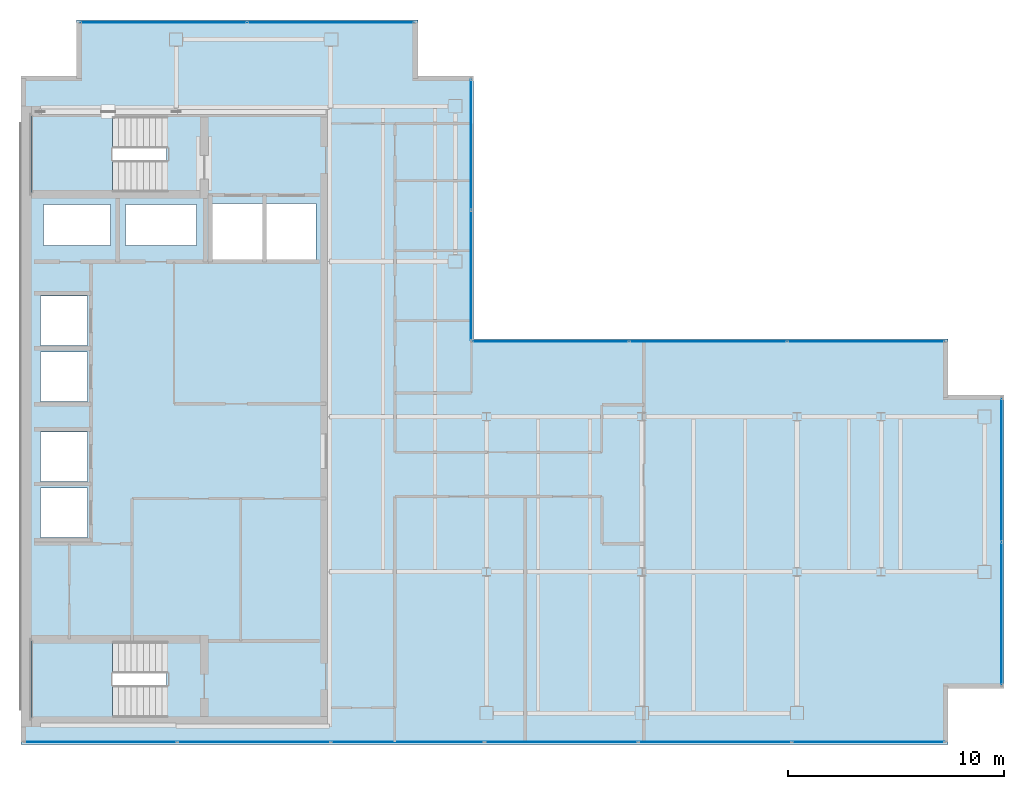
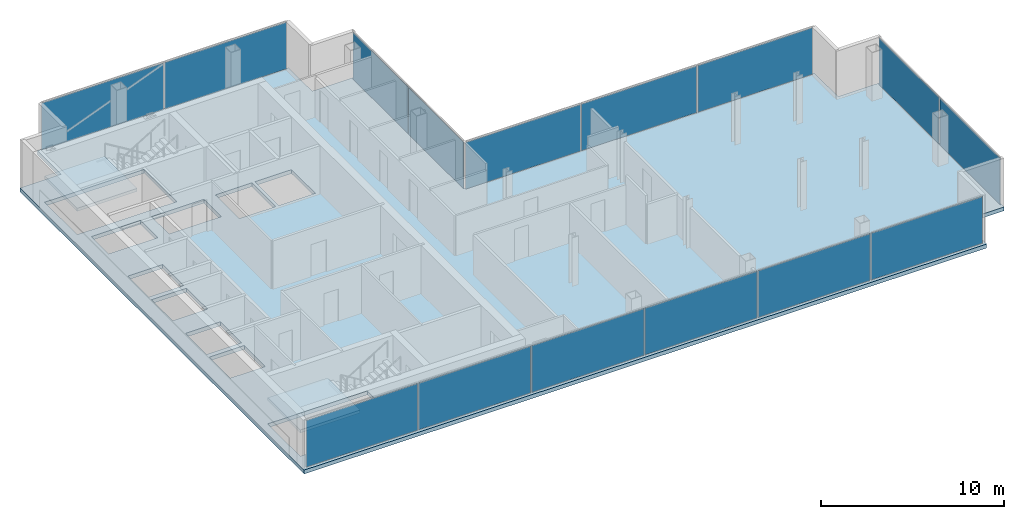
# One storey, part 19 of 23: 15 plates, 3 slabs, 10 openings, 7 elements without a shape of their own.
"""IFC4 building model written with IfcOpenShell, lengths in metres."""

from ifc_helpers import new_model, si_unit, direction, frame, origin, origin_2d, place, context, subcontext, project, spatial, polyline, rectangle, outline, extrude, material, layer, layer_set, type_object, element, aggregate, save


model = new_model("IFC4")

# Units and contexts
model_context = context("Model", 3, precision=1e-05, world=origin(), true_north=direction((0.0, 1.0)))
body_context = subcontext(model_context, "Body", "Model", "MODEL_VIEW")
ifc_project = project(units=[si_unit("LENGTHUNIT", "METRE"), si_unit("AREAUNIT", "SQUARE_METRE"), si_unit("VOLUMEUNIT", "CUBIC_METRE"), si_unit("PLANEANGLEUNIT", "RADIAN"), si_unit("MASSUNIT", "GRAM", prefix="KILO")], contexts=[model_context])

# Site, building, storey
site_placement = place(None, origin())
site = spatial("IfcSite", under=ifc_project, at=site_placement, CompositionType="ELEMENT")
building_placement = place(site_placement, origin())
building = spatial("IfcBuilding", under=site, at=building_placement, Name="Cobrela Telecom Tower", CompositionType="ELEMENT")
storey_placement = place(building_placement, frame((0.0, 0.0, 269.14990234375)))
storey = spatial("IfcBuildingStorey", under=building, at=storey_placement, Name="L70", CompositionType="ELEMENT", Elevation=269.14990234375)

# Curtain wall, plates
ifc_material_1 = material(Name="Anodized Bronze Aluminium 6063-T6", Category="aluminium")
curtain_wall_type = type_object("IfcCurtainWallType", Name="CW-SYS-OFF-HI", PredefinedType="USERDEFINED", material=ifc_material_1)
curtain_wall_1_placement = place(storey_placement, origin())
curtain_wall_1 = element("IfcCurtainWall", 1, at=curtain_wall_1_placement, inside=storey, type_object=curtain_wall_type, Name="L70 Unitised Bronze Curtain Wall 05", ObjectType="UNITISED CURTAIN WALL", PredefinedType="USERDEFINED")
ifc_material_2 = material(Name="Solar-Control Bronze Low-E Glass", Category="glass")
ifc_layer_1 = layer(ifc_material_2, 0.030029296875)
ifc_layer_set_1 = layer_set([ifc_layer_1], Name="Solar-Control Bronze Low-E Glass")
plate_type = type_object("IfcPlateType", Name="CW-SYS-OFF-HI-PNL", PredefinedType="CURTAIN_PANEL", material=ifc_layer_set_1)
plate_1_placement = place(storey_placement, frame((6.62255859375, 39.8798828125, 0.06494140625), z_axis=(0.0, 0.0, 1.0), x_axis=(1.0, 0.0, 0.0)))
plate_1 = element("IfcPlate", 2, at=plate_1_placement, type_object=plate_type, Name="CW-OFF-HI panel 1.1", PredefinedType="CURTAIN_PANEL", context=body_context, shape_type="SweptSolid", body=[
    extrude(rectangle(XDim=7.68505859375, YDim=0.030029296875, at=origin_2d()), origin(), (0.0, 0.0, 1.0), 3.110107421875),
])
plate_2_placement = place(storey_placement, frame((14.37744140625, 39.8798828125, 0.06494140625), z_axis=(0.0, 0.0, 1.0), x_axis=(1.0, 0.0, 0.0)))
plate_2 = element("IfcPlate", 3, at=plate_2_placement, type_object=plate_type, Name="CW-OFF-HI panel 2.1", PredefinedType="CURTAIN_PANEL", context=body_context, shape_type="SweptSolid", body=[
    extrude(rectangle(XDim=7.68505859375, YDim=0.030029296875, at=origin_2d()), origin(), (0.0, 0.0, 1.0), 3.110107421875),
])
aggregate(curtain_wall_1, [plate_1, plate_2])

curtain_wall_2_placement = place(storey_placement, origin())
curtain_wall_2 = element("IfcCurtainWall", 4, at=curtain_wall_2_placement, inside=storey, type_object=curtain_wall_type, Name="L70 Unitised Bronze Curtain Wall 08", ObjectType="UNITISED CURTAIN WALL", PredefinedType="USERDEFINED")
plate_3_placement = place(storey_placement, frame((20.8798828125, 34.219970703125, 0.06494140625), z_axis=(0.0, 0.0, 1.0), x_axis=(0.0, -1.0, 0.0)))
plate_3 = element("IfcPlate", 5, at=plate_3_placement, type_object=plate_type, Name="CW-OFF-HI panel 1.1", PredefinedType="CURTAIN_PANEL", context=body_context, shape_type="SweptSolid", body=[
    extrude(rectangle(XDim=6.0, YDim=0.030029296875, at=origin_2d()), origin(), (0.0, 0.0, 1.0), 3.110107421875),
])
plate_4_placement = place(storey_placement, frame((20.8798828125, 28.14990234375, 0.06494140625), z_axis=(0.0, 0.0, 1.0), x_axis=(0.0, -1.0, 0.0)))
plate_4 = element("IfcPlate", 6, at=plate_4_placement, type_object=plate_type, Name="CW-OFF-HI panel 2.1", PredefinedType="CURTAIN_PANEL", context=body_context, shape_type="SweptSolid", body=[
    extrude(rectangle(XDim=6.0, YDim=0.030029296875, at=origin_2d()), origin(), (0.0, 0.0, 1.0), 3.110107421875),
])
aggregate(curtain_wall_2, [plate_3, plate_4])

curtain_wall_3_placement = place(storey_placement, origin())
curtain_wall_3 = element("IfcCurtainWall", 7, at=curtain_wall_3_placement, inside=storey, type_object=curtain_wall_type, Name="L70 Unitised Bronze Curtain Wall 09", ObjectType="UNITISED CURTAIN WALL", PredefinedType="USERDEFINED")
plate_5_placement = place(storey_placement, frame((24.56591796875, 25.080078125, 0.06494140625), z_axis=(0.0, 0.0, 1.0), x_axis=(1.0, 0.0, 0.0)))
plate_5 = element("IfcPlate", 8, at=plate_5_placement, type_object=plate_type, Name="CW-OFF-HI panel 1.1", PredefinedType="CURTAIN_PANEL", context=body_context, shape_type="SweptSolid", body=[
    extrude(rectangle(XDim=7.231689453125, YDim=0.030029296875, at=origin_2d()), origin(), (0.0, 0.0, 1.0), 3.110107421875),
])
plate_6_placement = place(storey_placement, frame((31.885009765625, 25.080078125, 0.06494140625), z_axis=(0.0, 0.0, 1.0), x_axis=(1.0, 0.0, 0.0)))
plate_6 = element("IfcPlate", 9, at=plate_6_placement, type_object=plate_type, Name="CW-OFF-HI panel 2.1", PredefinedType="CURTAIN_PANEL", context=body_context, shape_type="SweptSolid", body=[
    extrude(rectangle(XDim=7.2666015625, YDim=0.030029296875, at=origin_2d()), origin(), (0.0, 0.0, 1.0), 3.110107421875),
])
plate_7_placement = place(storey_placement, frame((39.2041015625, 25.080078125, 0.06494140625), z_axis=(0.0, 0.0, 1.0), x_axis=(1.0, 0.0, 0.0)))
plate_7 = element("IfcPlate", 10, at=plate_7_placement, type_object=plate_type, Name="CW-OFF-HI panel 3.1", PredefinedType="CURTAIN_PANEL", context=body_context, shape_type="SweptSolid", body=[
    extrude(rectangle(XDim=7.231689453125, YDim=0.030029296875, at=origin_2d()), origin(), (0.0, 0.0, 1.0), 3.110107421875),
])
aggregate(curtain_wall_3, [plate_5, plate_6, plate_7])

curtain_wall_4_placement = place(storey_placement, origin())
curtain_wall_4 = element("IfcCurtainWall", 11, at=curtain_wall_4_placement, inside=storey, type_object=curtain_wall_type, Name="L70 Unitised Bronze Curtain Wall 12", ObjectType="UNITISED CURTAIN WALL", PredefinedType="USERDEFINED")
plate_8_placement = place(storey_placement, frame((45.47998046875, 19.12744140625, 0.06494140625), z_axis=(0.0, 0.0, 1.0), x_axis=(0.0, -1.0, 0.0)))
plate_8 = element("IfcPlate", 12, at=plate_8_placement, type_object=plate_type, Name="CW-OFF-HI panel 1.1", PredefinedType="CURTAIN_PANEL", context=body_context, shape_type="SweptSolid", body=[
    extrude(rectangle(XDim=6.5849609375, YDim=0.030029296875, at=origin_2d()), origin(), (0.0, 0.0, 1.0), 3.110107421875),
])
plate_9_placement = place(storey_placement, frame((45.47998046875, 12.472412109375, 0.06494140625), z_axis=(0.0, 0.0, 1.0), x_axis=(0.0, -1.0, 0.0)))
plate_9 = element("IfcPlate", 13, at=plate_9_placement, type_object=plate_type, Name="CW-OFF-HI panel 2.1", PredefinedType="CURTAIN_PANEL", context=body_context, shape_type="SweptSolid", body=[
    extrude(rectangle(XDim=6.5849609375, YDim=0.030029296875, at=origin_2d()), origin(), (0.0, 0.0, 1.0), 3.110107421875),
])
aggregate(curtain_wall_4, [plate_8, plate_9])

curtain_wall_5_placement = place(storey_placement, origin())
curtain_wall_5 = element("IfcCurtainWall", 14, at=curtain_wall_5_placement, inside=storey, type_object=curtain_wall_type, Name="L70 Unitised Bronze Curtain Wall 15", ObjectType="UNITISED CURTAIN WALL", PredefinedType="USERDEFINED")
plate_10_placement = place(storey_placement, frame((39.308349609375, 6.52001953125, 0.06494140625), z_axis=(0.0, 0.0, 1.0), x_axis=(-1.0, 0.0, 0.0)))
plate_10 = element("IfcPlate", 15, at=plate_10_placement, type_object=plate_type, Name="CW-OFF-HI panel 1.1", PredefinedType="CURTAIN_PANEL", context=body_context, shape_type="SweptSolid", body=[
    extrude(rectangle(XDim=7.0234375, YDim=0.030029296875, at=origin_2d()), origin(), (0.0, 0.0, 1.0), 3.110107421875),
])
plate_11_placement = place(storey_placement, frame((32.197509765625, 6.52001953125, 0.06494140625), z_axis=(0.0, 0.0, 1.0), x_axis=(-1.0, 0.0, 0.0)))
plate_11 = element("IfcPlate", 16, at=plate_11_placement, type_object=plate_type, Name="CW-OFF-HI panel 2.1", PredefinedType="CURTAIN_PANEL", context=body_context, shape_type="SweptSolid", body=[
    extrude(rectangle(XDim=7.058349609375, YDim=0.030029296875, at=origin_2d()), origin(), (0.0, 0.0, 1.0), 3.110107421875),
])
plate_12_placement = place(storey_placement, frame((25.069091796875, 6.52001953125, 0.06494140625), z_axis=(0.0, 0.0, 1.0), x_axis=(-1.0, 0.0, 0.0)))
plate_12 = element("IfcPlate", 17, at=plate_12_placement, type_object=plate_type, Name="CW-OFF-HI panel 3.1", PredefinedType="CURTAIN_PANEL", context=body_context, shape_type="SweptSolid", body=[
    extrude(rectangle(XDim=7.058349609375, YDim=0.030029296875, at=origin_2d()), origin(), (0.0, 0.0, 1.0), 3.110107421875),
])
plate_13_placement = place(storey_placement, frame((17.94091796875, 6.52001953125, 0.06494140625), z_axis=(0.0, 0.0, 1.0), x_axis=(-1.0, 0.0, 0.0)))
plate_13 = element("IfcPlate", 18, at=plate_13_placement, type_object=plate_type, Name="CW-OFF-HI panel 4.1", PredefinedType="CURTAIN_PANEL", context=body_context, shape_type="SweptSolid", body=[
    extrude(rectangle(XDim=7.058349609375, YDim=0.030029296875, at=origin_2d()), origin(), (0.0, 0.0, 1.0), 3.110107421875),
])
plate_14_placement = place(storey_placement, frame((10.8125, 6.52001953125, 0.06494140625), z_axis=(0.0, 0.0, 1.0), x_axis=(-1.0, 0.0, 0.0)))
plate_14 = element("IfcPlate", 19, at=plate_14_placement, type_object=plate_type, Name="CW-OFF-HI panel 5.1", PredefinedType="CURTAIN_PANEL", context=body_context, shape_type="SweptSolid", body=[
    extrude(rectangle(XDim=7.058349609375, YDim=0.030029296875, at=origin_2d()), origin(), (0.0, 0.0, 1.0), 3.110107421875),
])
plate_15_placement = place(storey_placement, frame((3.70166015625, 6.52001953125, 0.06494140625), z_axis=(0.0, 0.0, 1.0), x_axis=(-1.0, 0.0, 0.0)))
plate_15 = element("IfcPlate", 20, at=plate_15_placement, type_object=plate_type, Name="CW-OFF-HI panel 6.1", PredefinedType="CURTAIN_PANEL", context=body_context, shape_type="SweptSolid", body=[
    extrude(rectangle(XDim=7.0234375, YDim=0.030029296875, at=origin_2d()), origin(), (0.0, 0.0, 1.0), 3.110107421875),
])
aggregate(curtain_wall_5, [plate_10, plate_11, plate_12, plate_13, plate_14, plate_15])

# Slab, openings
ifc_material_3 = material(Name="Concrete C40/50", Category="concrete")
ifc_layer_2 = layer(ifc_material_3, 0.260009765625)
ifc_layer_set_2 = layer_set([ifc_layer_2], Name="Concrete C40/50")
slab_type_1 = type_object("IfcSlabType", Name="SLAB-FLR-260", PredefinedType="FLOOR", material=ifc_layer_set_2)
slab_1_placement = place(storey_placement, frame((0.0, 0.0, -0.260009765625)))
slab_1 = element("IfcSlab", 21, at=slab_1_placement, inside=storey, type_object=slab_type_1, Name="L70 Structural Floor Slab", PredefinedType="FLOOR", context=body_context, shape_type="SweptSolid", body=[
    extrude(outline(polyline([(0.0, 6.39990234375), (43.010009765625, 6.39990234375), (43.010009765625, 8.989990234375), (45.60009765625, 8.989990234375), (45.60009765625, 22.610107421875), (43.010009765625, 22.610107421875), (43.010009765625, 25.199951171875), (21.0, 25.199951171875), (21.0, 37.409912109375), (18.409912109375, 37.409912109375), (18.409912109375, 40.0), (2.590087890625, 40.0), (2.590087890625, 37.409912109375), (0.0, 37.409912109375), (0.0, 6.39990234375)])), origin(), (0.0, 0.0, 1.0), 0.260009765625),
])
opening_1_placement = place(slab_1_placement, frame((0.0, 0.0, -0.02001953125)))
element("IfcOpeningElement", 22, at=opening_1_placement, cuts=slab_1, Name="Slab Shaft Opening SLAB-L70-MAIN.1", PredefinedType="OPENING", context=body_context, shape_type="SweptSolid", body=[
    extrude(outline(polyline([(8.89990234375, 28.89990234375), (11.199951171875, 28.89990234375), (11.199951171875, 31.5), (8.89990234375, 31.5), (8.89990234375, 28.89990234375)])), origin(), (0.0, 0.0, 1.0), 0.300048828125),
])
opening_2_placement = place(slab_1_placement, frame((0.0, 0.0, -0.02001953125)))
element("IfcOpeningElement", 23, at=opening_2_placement, cuts=slab_1, Name="Slab Shaft Opening SLAB-L70-MAIN.2", PredefinedType="OPENING", context=body_context, shape_type="SweptSolid", body=[
    extrude(outline(polyline([(11.39990234375, 28.89990234375), (13.699951171875, 28.89990234375), (13.699951171875, 31.5), (11.39990234375, 31.5), (11.39990234375, 28.89990234375)])), origin(), (0.0, 0.0, 1.0), 0.300048828125),
])
opening_3_placement = place(slab_1_placement, frame((0.0, 0.0, -0.02001953125)))
element("IfcOpeningElement", 24, at=opening_3_placement, cuts=slab_1, Name="Slab Shaft Opening SLAB-L70-MAIN.3", PredefinedType="OPENING", context=body_context, shape_type="SweptSolid", body=[
    extrude(outline(polyline([(0.89990234375, 16.0), (3.10009765625, 16.0), (3.10009765625, 18.300048828125), (0.89990234375, 18.300048828125), (0.89990234375, 16.0)])), origin(), (0.0, 0.0, 1.0), 0.300048828125),
])
opening_4_placement = place(slab_1_placement, frame((0.0, 0.0, -0.02001953125)))
element("IfcOpeningElement", 25, at=opening_4_placement, cuts=slab_1, Name="Slab Shaft Opening SLAB-L70-MAIN.4", PredefinedType="OPENING", context=body_context, shape_type="SweptSolid", body=[
    extrude(outline(polyline([(0.89990234375, 18.60009765625), (3.10009765625, 18.60009765625), (3.10009765625, 20.89990234375), (0.89990234375, 20.89990234375), (0.89990234375, 18.60009765625)])), origin(), (0.0, 0.0, 1.0), 0.300048828125),
])
opening_5_placement = place(slab_1_placement, frame((0.0, 0.0, -0.02001953125)))
element("IfcOpeningElement", 26, at=opening_5_placement, cuts=slab_1, Name="Slab Shaft Opening SLAB-L70-MAIN.5", PredefinedType="OPENING", context=body_context, shape_type="SweptSolid", body=[
    extrude(outline(polyline([(0.89990234375, 22.300048828125), (3.10009765625, 22.300048828125), (3.10009765625, 24.60009765625), (0.89990234375, 24.60009765625), (0.89990234375, 22.300048828125)])), origin(), (0.0, 0.0, 1.0), 0.300048828125),
])
opening_6_placement = place(slab_1_placement, frame((0.0, 0.0, -0.02001953125)))
element("IfcOpeningElement", 27, at=opening_6_placement, cuts=slab_1, Name="Slab Shaft Opening SLAB-L70-MAIN.6", PredefinedType="OPENING", context=body_context, shape_type="SweptSolid", body=[
    extrude(outline(polyline([(0.89990234375, 24.89990234375), (3.10009765625, 24.89990234375), (3.10009765625, 27.199951171875), (0.89990234375, 27.199951171875), (0.89990234375, 24.89990234375)])), origin(), (0.0, 0.0, 1.0), 0.300048828125),
])
opening_7_placement = place(slab_1_placement, frame((0.0, 0.0, -0.02001953125)))
element("IfcOpeningElement", 28, at=opening_7_placement, cuts=slab_1, Name="Slab Shaft Opening SLAB-L70-MAIN.7", PredefinedType="OPENING", context=body_context, shape_type="SweptSolid", body=[
    extrude(outline(polyline([(1.050048828125, 29.550048828125), (4.14990234375, 29.550048828125), (4.14990234375, 31.449951171875), (1.050048828125, 31.449951171875), (1.050048828125, 29.550048828125)])), origin(), (0.0, 0.0, 1.0), 0.300048828125),
])
opening_8_placement = place(slab_1_placement, frame((0.0, 0.0, -0.02001953125)))
element("IfcOpeningElement", 29, at=opening_8_placement, cuts=slab_1, Name="Slab Shaft Opening SLAB-L70-MAIN.8", PredefinedType="OPENING", context=body_context, shape_type="SweptSolid", body=[
    extrude(outline(polyline([(4.85009765625, 29.550048828125), (8.14990234375, 29.550048828125), (8.14990234375, 31.449951171875), (4.85009765625, 31.449951171875), (4.85009765625, 29.550048828125)])), origin(), (0.0, 0.0, 1.0), 0.300048828125),
])
opening_9_placement = place(slab_1_placement, frame((0.0, 0.0, -0.02001953125)))
element("IfcOpeningElement", 30, at=opening_9_placement, cuts=slab_1, Name="Slab Shaft Opening SLAB-L70-MAIN.9", PredefinedType="OPENING", context=body_context, shape_type="SweptSolid", body=[
    extrude(outline(polyline([(6.7548828125, 35.550048828125), (0.47998046875, 35.550048828125), (0.47998046875, 32.0), (6.7548828125, 32.0), (6.7548828125, 35.550048828125)])), origin(), (0.0, 0.0, 1.0), 0.300048828125),
])
opening_10_placement = place(slab_1_placement, frame((0.0, 0.0, -0.02001953125)))
element("IfcOpeningElement", 31, at=opening_10_placement, cuts=slab_1, Name="Slab Shaft Opening SLAB-L70-MAIN.10", PredefinedType="OPENING", context=body_context, shape_type="SweptSolid", body=[
    extrude(outline(polyline([(6.7548828125, 11.199951171875), (0.47998046875, 11.199951171875), (0.47998046875, 7.64990234375), (6.7548828125, 7.64990234375), (6.7548828125, 11.199951171875)])), origin(), (0.0, 0.0, 1.0), 0.300048828125),
])

# Stair, slab
stair_type = type_object("IfcStairType", Name="STAIR-CORE", PredefinedType="HALF_TURN_STAIR", material=ifc_material_3)
stair_1_placement = place(storey_placement, origin())
stair_1 = element("IfcStair", 32, at=stair_1_placement, inside=storey, type_object=stair_type, Name="L70 Smokeproof Exit Stair ST1", PredefinedType="HALF_TURN_STAIR")
ifc_layer_3 = layer(ifc_material_3, 0.199951171875)
ifc_layer_set_3 = layer_set([ifc_layer_3], Name="Concrete C40/50")
slab_type_2 = type_object("IfcSlabType", Name="SLAB-LAND-200", PredefinedType="LANDING", material=ifc_layer_set_3)
slab_2_placement = place(storey_placement, frame((0.0, 0.0, 1.550048828125)))
slab_2 = element("IfcSlab", 33, at=slab_2_placement, type_object=slab_type_2, Name="ST1 landing 1", PredefinedType="LANDING", context=body_context, shape_type="SweptSolid", body=[
    extrude(outline(polyline([(4.2548828125, 35.550048828125), (0.47998046875, 35.550048828125), (0.47998046875, 32.0), (4.2548828125, 32.0), (4.2548828125, 35.550048828125)])), origin(), (0.0, 0.0, 1.0), 0.199951171875),
])
aggregate(stair_1, [slab_2])

stair_2_placement = place(storey_placement, origin())
stair_2 = element("IfcStair", 34, at=stair_2_placement, inside=storey, type_object=stair_type, Name="L70 Smokeproof Exit Stair ST2", PredefinedType="HALF_TURN_STAIR")
slab_3_placement = place(storey_placement, frame((0.0, 0.0, 1.550048828125)))
slab_3 = element("IfcSlab", 35, at=slab_3_placement, type_object=slab_type_2, Name="ST2 landing 1", PredefinedType="LANDING", context=body_context, shape_type="SweptSolid", body=[
    extrude(outline(polyline([(4.2548828125, 11.199951171875), (0.47998046875, 11.199951171875), (0.47998046875, 7.64990234375), (4.2548828125, 7.64990234375), (4.2548828125, 11.199951171875)])), origin(), (0.0, 0.0, 1.0), 0.199951171875),
])
aggregate(stair_2, [slab_3])

save(model, "model.ifc")
